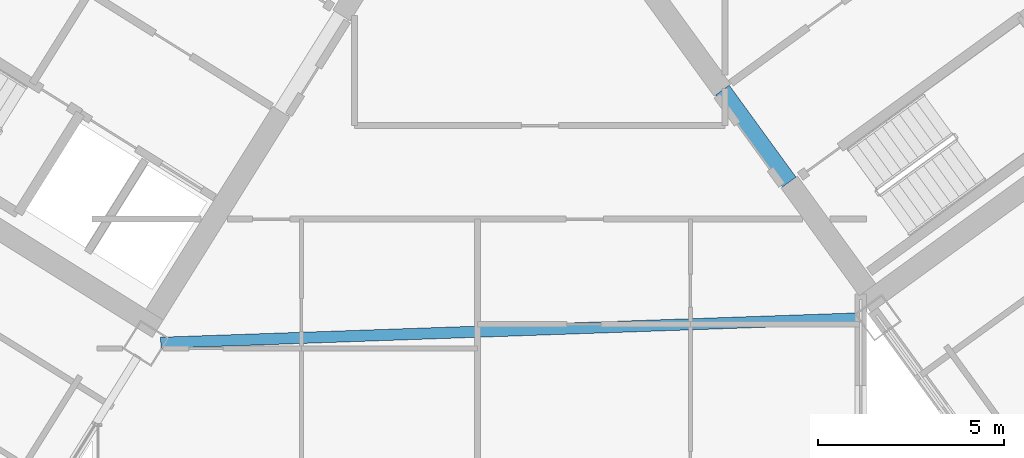
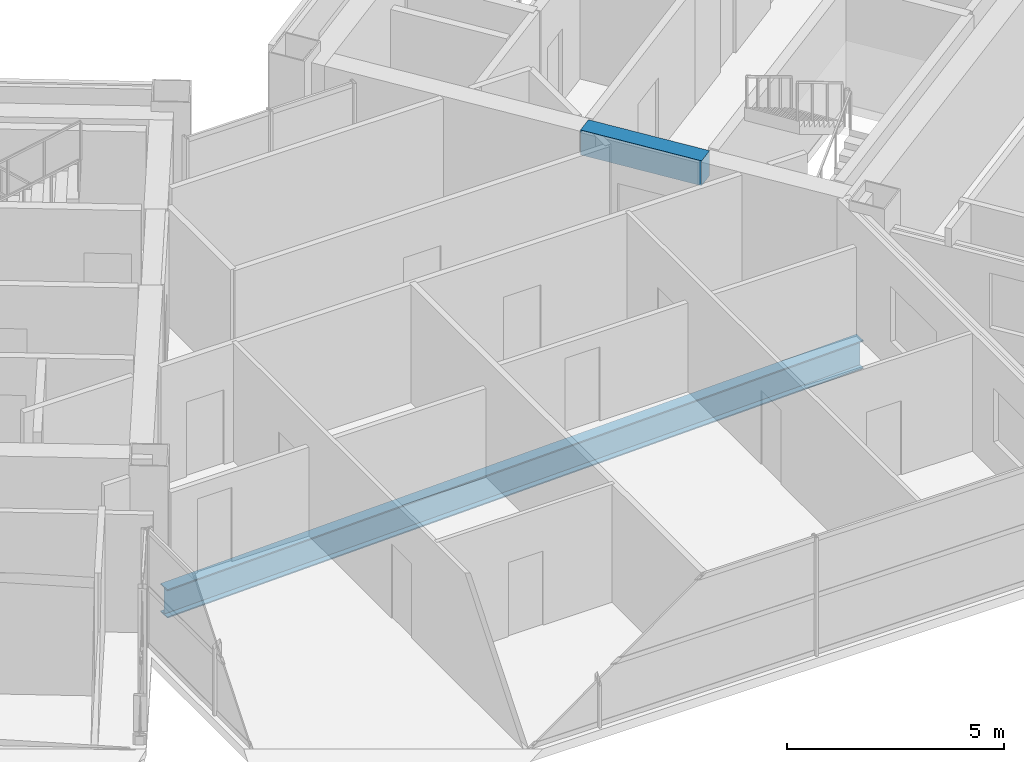
# One storey, part 9 of 29: 2 beams.
"""IFC4 building model written with IfcOpenShell, lengths in metres."""

from ifc_helpers import new_model, si_unit, direction, frame, origin, origin_2d, place, context, subcontext, project, spatial, rectangle, i_section, extrude, source, transform, mapped, material, material_profile, profile_set, type_object, element, save


model = new_model("IFC4")

# Units and contexts
model_context = context("Model", 3, precision=1e-05, world=origin(), true_north=direction((0.0, 1.0)))
body_context = subcontext(model_context, "Body", "Model", "MODEL_VIEW")
ifc_project = project(units=[si_unit("LENGTHUNIT", "METRE"), si_unit("AREAUNIT", "SQUARE_METRE"), si_unit("VOLUMEUNIT", "CUBIC_METRE"), si_unit("PLANEANGLEUNIT", "RADIAN"), si_unit("MASSUNIT", "GRAM", prefix="KILO")], contexts=[model_context])

# Site, building, storey
site_placement = place(None, origin())
site = spatial("IfcSite", under=ifc_project, at=site_placement, CompositionType="ELEMENT")
building_placement = place(site_placement, origin())
building = spatial("IfcBuilding", under=site, at=building_placement, Name="Tlacorven Tower", CompositionType="ELEMENT")
storey_placement = place(building_placement, frame((0.0, 0.0, 165.89990234375)))
storey = spatial("IfcBuildingStorey", under=building, at=storey_placement, Name="L42", CompositionType="ELEMENT", Elevation=165.89990234375)

# Beams
ifc_material_1 = material(Name="Concrete C60/75", Category="concrete")
ifc_material_profile_1 = material_profile(ifc_material_1, rectangle(XDim=0.449951171875, YDim=0.699951171875, at=origin_2d()), Name="RC 450X700")
ifc_profile_set_1 = profile_set([ifc_material_profile_1], Name="Concrete C60/75")
beam_type_1 = type_object("IfcBeamType", Name="BM-LNT-700", PredefinedType="LINTEL", material=ifc_profile_set_1)
shared_shape_1 = source(origin(), body_context, "Body", "SweptSolid", [
    extrude(rectangle(XDim=0.449951171875, YDim=0.699951171875, at=origin_2d()), origin(), (0.0, 0.0, 1.0), 3.050048828125),
])
beam_1_placement = place(storey_placement, frame((50.318359375, 16.416015625, 2.97021484375), z_axis=(-0.587776590479, 0.80902328748, 0.0), x_axis=(-0.80902328748, -0.587776590479, 0.0)))
element("IfcBeam", 1, at=beam_1_placement, inside=storey, type_object=beam_type_1, Name="L42 E core coupling lintel beam E1", PredefinedType="LINTEL", context=body_context, shape_type="MappedRepresentation", body=[
    mapped(shared_shape_1, transform((0.0, 0.0, 0.0), scale=1.0)),
])
ifc_material_2 = material(Name="Steel S355J2", Category="steel")
ifc_material_profile_2 = material_profile(ifc_material_2, i_section(OverallWidth=0.300048828125, OverallDepth=0.800048828125, WebThickness=0.017578125, FlangeThickness=0.032958984375, at=origin_2d()), Name="HEB 800")
ifc_profile_set_2 = profile_set([ifc_material_profile_2], Name="Steel S355J2")
beam_type_2 = type_object("IfcBeamType", Name="BM-POD-800", PredefinedType="BEAM", material=ifc_profile_set_2)
shared_shape_2 = source(origin(), body_context, "Body", "SweptSolid", [
    extrude(i_section(OverallWidth=0.300048828125, OverallDepth=0.800048828125, WebThickness=0.017578125, FlangeThickness=0.032958984375, at=origin_2d()), origin(), (0.0, 0.0, 1.0), 18.871337890625),
])
beam_2_placement = place(storey_placement, frame((33.44580078125, 12.100830078125, -0.64990234375), z_axis=(0.999390659804, 0.034904284792, 0.0), x_axis=(-0.034904284792, 0.999390659804, 0.0)))
element("IfcBeam", 2, at=beam_2_placement, inside=storey, type_object=beam_type_2, Name="L42 Knuckle Link Girder 2", PredefinedType="BEAM", context=body_context, shape_type="MappedRepresentation", body=[
    mapped(shared_shape_2, transform((0.0, 0.0, 0.0), scale=1.0)),
])

save(model, "model.ifc")
